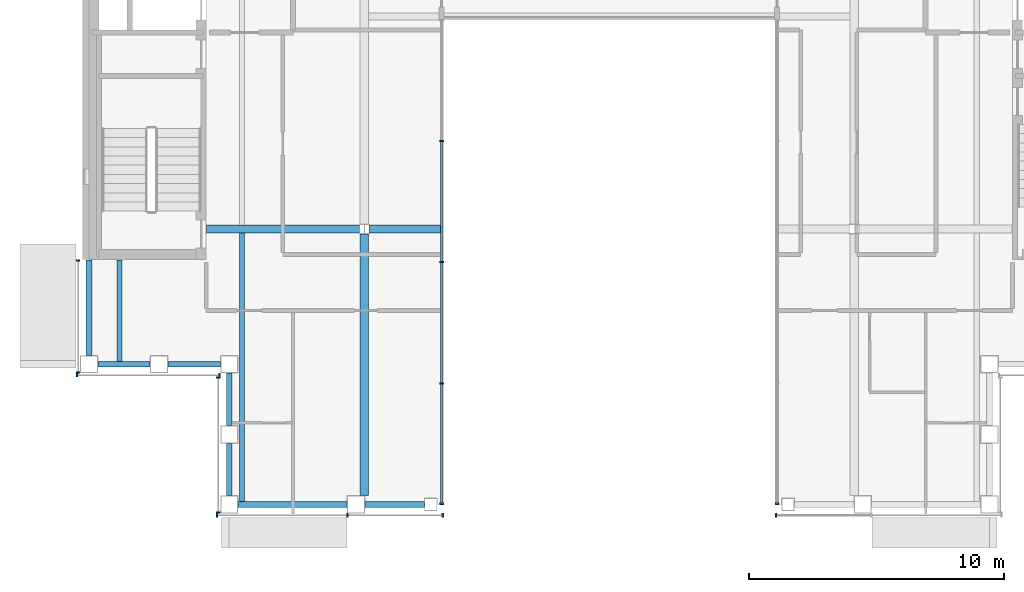
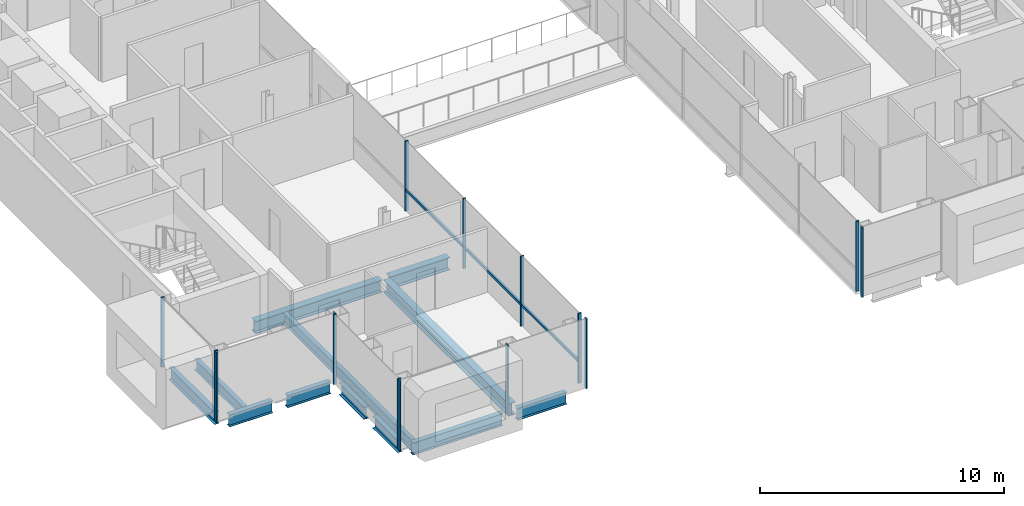
# One storey, part 3 of 17: 18 members, 12 beams, 7 elements without a shape of their own.
"""IFC4 building model written with IfcOpenShell, lengths in metres."""

from ifc_helpers import new_model, si_unit, direction, frame, origin, origin_2d, place, context, subcontext, project, spatial, rectangle, i_section, extrude, material, material_profile, profile_set, type_object, element, aggregate, save


model = new_model("IFC4")

# Units and contexts
model_context = context("Model", 3, precision=1e-05, world=origin(), true_north=direction((0.0, 1.0)))
body_context = subcontext(model_context, "Body", "Model", "MODEL_VIEW")
ifc_project = project(units=[si_unit("LENGTHUNIT", "METRE"), si_unit("AREAUNIT", "SQUARE_METRE"), si_unit("VOLUMEUNIT", "CUBIC_METRE"), si_unit("PLANEANGLEUNIT", "RADIAN"), si_unit("MASSUNIT", "GRAM", prefix="KILO")], contexts=[model_context])

# Site, building, storey
site_placement = place(None, origin())
site = spatial("IfcSite", under=ifc_project, at=site_placement, CompositionType="ELEMENT")
building_placement = place(site_placement, origin())
building = spatial("IfcBuilding", under=site, at=building_placement, Name="Cobrizo Arcos Hotel Tower", CompositionType="ELEMENT")
storey_placement = place(building_placement, frame((0.0, 0.0, 233.0)))
storey = spatial("IfcBuildingStorey", under=building, at=storey_placement, Name="L61", CompositionType="ELEMENT", Elevation=233.0)

# Curtain wall, members
ifc_material_1 = material(Name="Aluminium 6063-T6 anodised bronze", Category="aluminium")
curtain_wall_type_1 = type_object("IfcCurtainWallType", Name="CW-A guest facade", PredefinedType="NOTDEFINED", material=ifc_material_1)
curtain_wall_1_placement = place(storey_placement, origin())
curtain_wall_1 = element("IfcCurtainWall", 1, at=curtain_wall_1_placement, inside=storey, type_object=curtain_wall_type_1, Name="CW-A L61 S face", PredefinedType="NOTDEFINED")
ifc_material_profile_1 = material_profile(ifc_material_1, rectangle(XDim=0.14990234375, YDim=0.06005859375, at=origin_2d()), Name="CW-A mullion 150x60")
ifc_profile_set_1 = profile_set([ifc_material_profile_1], Name="Aluminium 6063-T6 anodised bronze")
member_type_1 = type_object("IfcMemberType", Name="CW-A mullion 150x60", PredefinedType="MULLION", material=ifc_profile_set_1)
member_1_placement = place(storey_placement, frame((-15.3701171875, -20.824951171875, 0.0), z_axis=(0.0, 0.0, 1.0), x_axis=(0.0, -1.0, 0.0)))
member_1 = element("IfcMember", 2, at=member_1_placement, type_object=member_type_1, Name="CW-A mullion 1", PredefinedType="MULLION", context=body_context, shape_type="SweptSolid", body=[
    extrude(rectangle(XDim=0.14990234375, YDim=0.06005859375, at=origin_2d()), origin(), (0.0, 0.0, 1.0), 3.5),
])
member_2_placement = place(storey_placement, frame((-10.2666015625, -20.824951171875, 0.0), z_axis=(0.0, 0.0, 1.0), x_axis=(0.0, -1.0, 0.0)))
member_2 = element("IfcMember", 3, at=member_2_placement, type_object=member_type_1, Name="CW-A mullion 2", PredefinedType="MULLION", context=body_context, shape_type="SweptSolid", body=[
    extrude(rectangle(XDim=0.14990234375, YDim=0.06005859375, at=origin_2d()), origin(), (0.0, 0.0, 1.0), 3.5),
])
member_3_placement = place(storey_placement, frame((-6.530029296875, -20.824951171875, 0.0), z_axis=(0.0, 0.0, 1.0), x_axis=(0.0, -1.0, 0.0)))
member_3 = element("IfcMember", 4, at=member_3_placement, type_object=member_type_1, Name="CW-A mullion 3", PredefinedType="MULLION", context=body_context, shape_type="SweptSolid", body=[
    extrude(rectangle(XDim=0.14990234375, YDim=0.06005859375, at=origin_2d()), origin(), (0.0, 0.0, 1.0), 3.5),
])
aggregate(curtain_wall_1, [member_1, member_2, member_3])

# Curtain wall, member
curtain_wall_2_placement = place(storey_placement, origin())
curtain_wall_2 = element("IfcCurtainWall", 5, at=curtain_wall_2_placement, inside=storey, type_object=curtain_wall_type_1, Name="CW-A L61 S face", PredefinedType="NOTDEFINED")
member_4_placement = place(storey_placement, frame((6.530029296875, -20.824951171875, 0.0), z_axis=(0.0, 0.0, 1.0), x_axis=(0.0, -1.0, 0.0)))
member_4 = element("IfcMember", 6, at=member_4_placement, type_object=member_type_1, Name="CW-A mullion 1", PredefinedType="MULLION", context=body_context, shape_type="SweptSolid", body=[
    extrude(rectangle(XDim=0.14990234375, YDim=0.06005859375, at=origin_2d()), origin(), (0.0, 0.0, 1.0), 3.5),
])
aggregate(curtain_wall_2, [member_4])

# Curtain wall, members
curtain_wall_3_placement = place(storey_placement, origin())
curtain_wall_3 = element("IfcCurtainWall", 7, at=curtain_wall_3_placement, inside=storey, type_object=curtain_wall_type_1, Name="CW-A L61 W face", PredefinedType="NOTDEFINED")
member_5_placement = place(storey_placement, frame((-20.824951171875, -10.830078125, 0.0), z_axis=(0.0, 0.0, 1.0), x_axis=(-1.0, 0.0, 0.0)))
member_5 = element("IfcMember", 8, at=member_5_placement, type_object=member_type_1, Name="CW-A mullion 1", PredefinedType="MULLION", context=body_context, shape_type="SweptSolid", body=[
    extrude(rectangle(XDim=0.14990234375, YDim=0.06005859375, at=origin_2d()), origin(), (0.0, 0.0, 1.0), 3.5),
])
member_6_placement = place(storey_placement, frame((-20.824951171875, -15.219970703125, 0.0), z_axis=(0.0, 0.0, 1.0), x_axis=(-1.0, 0.0, 0.0)))
member_6 = element("IfcMember", 9, at=member_6_placement, type_object=member_type_1, Name="CW-A mullion 2", PredefinedType="MULLION", context=body_context, shape_type="SweptSolid", body=[
    extrude(rectangle(XDim=0.14990234375, YDim=0.06005859375, at=origin_2d()), origin(), (0.0, 0.0, 1.0), 3.5),
])
aggregate(curtain_wall_3, [member_5, member_6])

curtain_wall_4_placement = place(storey_placement, origin())
curtain_wall_4 = element("IfcCurtainWall", 10, at=curtain_wall_4_placement, inside=storey, type_object=curtain_wall_type_1, Name="CW-A L61 S face", PredefinedType="NOTDEFINED")
member_7_placement = place(storey_placement, frame((-20.8701171875, -15.324951171875, 0.0), z_axis=(0.0, 0.0, 1.0), x_axis=(0.0, -1.0, 0.0)))
member_7 = element("IfcMember", 11, at=member_7_placement, type_object=member_type_1, Name="CW-A mullion 1", PredefinedType="MULLION", context=body_context, shape_type="SweptSolid", body=[
    extrude(rectangle(XDim=0.14990234375, YDim=0.06005859375, at=origin_2d()), origin(), (0.0, 0.0, 1.0), 3.5),
])
member_8_placement = place(storey_placement, frame((-15.280029296875, -15.324951171875, 0.0), z_axis=(0.0, 0.0, 1.0), x_axis=(0.0, -1.0, 0.0)))
member_8 = element("IfcMember", 12, at=member_8_placement, type_object=member_type_1, Name="CW-A mullion 2", PredefinedType="MULLION", context=body_context, shape_type="SweptSolid", body=[
    extrude(rectangle(XDim=0.14990234375, YDim=0.06005859375, at=origin_2d()), origin(), (0.0, 0.0, 1.0), 3.5),
])
aggregate(curtain_wall_4, [member_7, member_8])

curtain_wall_5_placement = place(storey_placement, origin())
curtain_wall_5 = element("IfcCurtainWall", 13, at=curtain_wall_5_placement, inside=storey, type_object=curtain_wall_type_1, Name="CW-A L61 W face", PredefinedType="NOTDEFINED")
member_9_placement = place(storey_placement, frame((-15.324951171875, -15.429931640625, 0.0), z_axis=(0.0, 0.0, 1.0), x_axis=(-1.0, 0.0, 0.0)))
member_9 = element("IfcMember", 14, at=member_9_placement, type_object=member_type_1, Name="CW-A mullion 1", PredefinedType="MULLION", context=body_context, shape_type="SweptSolid", body=[
    extrude(rectangle(XDim=0.14990234375, YDim=0.06005859375, at=origin_2d()), origin(), (0.0, 0.0, 1.0), 3.5),
])
member_10_placement = place(storey_placement, frame((-15.324951171875, -20.719970703125, 0.0), z_axis=(0.0, 0.0, 1.0), x_axis=(-1.0, 0.0, 0.0)))
member_10 = element("IfcMember", 15, at=member_10_placement, type_object=member_type_1, Name="CW-A mullion 2", PredefinedType="MULLION", context=body_context, shape_type="SweptSolid", body=[
    extrude(rectangle(XDim=0.14990234375, YDim=0.06005859375, at=origin_2d()), origin(), (0.0, 0.0, 1.0), 3.5),
])
aggregate(curtain_wall_5, [member_9, member_10])

# Curtain wall, member
curtain_wall_type_2 = type_object("IfcCurtainWallType", Name="CW-F void screen", PredefinedType="NOTDEFINED", material=ifc_material_1)
curtain_wall_6_placement = place(storey_placement, origin())
curtain_wall_6 = element("IfcCurtainWall", 16, at=curtain_wall_6_placement, inside=storey, type_object=curtain_wall_type_2, Name="CW-F L61 void screen C", PredefinedType="NOTDEFINED")
ifc_material_profile_2 = material_profile(ifc_material_1, rectangle(XDim=0.14990234375, YDim=0.06005859375, at=origin_2d()), Name="CW-F mullion 150x60")
ifc_profile_set_2 = profile_set([ifc_material_profile_2], Name="Aluminium 6063-T6 anodised bronze")
member_type_2 = type_object("IfcMemberType", Name="CW-F mullion 150x60", PredefinedType="MULLION", material=ifc_profile_set_2)
member_11_placement = place(storey_placement, frame((6.574951171875, -20.3701171875, 0.0), z_axis=(0.0, 0.0, 1.0), x_axis=(1.0, 0.0, 0.0)))
member_11 = element("IfcMember", 17, at=member_11_placement, type_object=member_type_2, Name="CW-F mullion 1", PredefinedType="MULLION", context=body_context, shape_type="SweptSolid", body=[
    extrude(rectangle(XDim=0.14990234375, YDim=0.06005859375, at=origin_2d()), origin(), (0.0, 0.0, 1.0), 3.5),
])
aggregate(curtain_wall_6, [member_11])

# Curtain wall, members
curtain_wall_7_placement = place(storey_placement, origin())
curtain_wall_7 = element("IfcCurtainWall", 18, at=curtain_wall_7_placement, inside=storey, type_object=curtain_wall_type_2, Name="CW-F L61 void screen C", PredefinedType="NOTDEFINED")
member_12_placement = place(storey_placement, frame((-6.574951171875, -6.14990234375, 0.0), z_axis=(0.0, 0.0, 1.0), x_axis=(-1.0, 0.0, 0.0)))
member_12 = element("IfcMember", 19, at=member_12_placement, type_object=member_type_2, Name="CW-F mullion 2", PredefinedType="MULLION", context=body_context, shape_type="SweptSolid", body=[
    extrude(rectangle(XDim=0.14990234375, YDim=0.06005859375, at=origin_2d()), origin(), (0.0, 0.0, 1.0), 3.5),
])
member_13_placement = place(storey_placement, frame((-6.574951171875, -10.89990234375, 0.0), z_axis=(0.0, 0.0, 1.0), x_axis=(-1.0, 0.0, 0.0)))
member_13 = element("IfcMember", 20, at=member_13_placement, type_object=member_type_2, Name="CW-F mullion 3", PredefinedType="MULLION", context=body_context, shape_type="SweptSolid", body=[
    extrude(rectangle(XDim=0.14990234375, YDim=0.06005859375, at=origin_2d()), origin(), (0.0, 0.0, 1.0), 3.5),
])
member_14_placement = place(storey_placement, frame((-6.574951171875, -15.64990234375, 0.0), z_axis=(0.0, 0.0, 1.0), x_axis=(-1.0, 0.0, 0.0)))
member_14 = element("IfcMember", 21, at=member_14_placement, type_object=member_type_2, Name="CW-F mullion 4", PredefinedType="MULLION", context=body_context, shape_type="SweptSolid", body=[
    extrude(rectangle(XDim=0.14990234375, YDim=0.06005859375, at=origin_2d()), origin(), (0.0, 0.0, 1.0), 3.5),
])
member_15_placement = place(storey_placement, frame((-6.574951171875, -20.3701171875, 0.0), z_axis=(0.0, 0.0, 1.0), x_axis=(-1.0, 0.0, 0.0)))
member_15 = element("IfcMember", 22, at=member_15_placement, type_object=member_type_2, Name="CW-F mullion 5", PredefinedType="MULLION", context=body_context, shape_type="SweptSolid", body=[
    extrude(rectangle(XDim=0.14990234375, YDim=0.06005859375, at=origin_2d()), origin(), (0.0, 0.0, 1.0), 3.5),
])
ifc_material_profile_3 = material_profile(ifc_material_1, rectangle(XDim=0.10009765625, YDim=0.1201171875, at=origin_2d()), Name="CW-F transom 120x100")
ifc_profile_set_3 = profile_set([ifc_material_profile_3], Name="Aluminium 6063-T6 anodised bronze")
member_type_3 = type_object("IfcMemberType", Name="CW-F transom 120x100", PredefinedType="USERDEFINED", material=ifc_profile_set_3)
member_16_placement = place(storey_placement, frame((-6.574951171875, -6.179931640625, 1.050048828125), z_axis=(0.0, -1.0, 0.0), x_axis=(1.0, 0.0, 0.0)))
member_16 = element("IfcMember", 23, at=member_16_placement, type_object=member_type_3, Name="CW-F transom 2761", ObjectType="TRANSOM", PredefinedType="USERDEFINED", context=body_context, shape_type="SweptSolid", body=[
    extrude(rectangle(XDim=0.10009765625, YDim=0.1201171875, at=origin_2d()), origin(), (0.0, 0.0, 1.0), 4.690185546875),
])
member_17_placement = place(storey_placement, frame((-6.574951171875, -10.929931640625, 1.050048828125), z_axis=(0.0, -1.0, 0.0), x_axis=(1.0, 0.0, 0.0)))
member_17 = element("IfcMember", 24, at=member_17_placement, type_object=member_type_3, Name="CW-F transom 2762", ObjectType="TRANSOM", PredefinedType="USERDEFINED", context=body_context, shape_type="SweptSolid", body=[
    extrude(rectangle(XDim=0.10009765625, YDim=0.1201171875, at=origin_2d()), origin(), (0.0, 0.0, 1.0), 4.690185546875),
])
member_18_placement = place(storey_placement, frame((-6.574951171875, -15.679931640625, 1.050048828125), z_axis=(0.0, -1.0, 0.0), x_axis=(1.0, 0.0, 0.0)))
member_18 = element("IfcMember", 25, at=member_18_placement, type_object=member_type_3, Name="CW-F transom 2763", ObjectType="TRANSOM", PredefinedType="USERDEFINED", context=body_context, shape_type="SweptSolid", body=[
    extrude(rectangle(XDim=0.10009765625, YDim=0.1201171875, at=origin_2d()), origin(), (0.0, 0.0, 1.0), 4.66015625),
])
aggregate(curtain_wall_7, [member_12, member_13, member_14, member_15, member_16, member_17, member_18])

# Beams
ifc_material_2 = material(Name="Steel ASTM A992 Grade 50", Category="steel")
ifc_material_profile_4 = material_profile(ifc_material_2, i_section(OverallWidth=0.209228515625, OverallDepth=0.533447265625, WebThickness=0.01025390625, FlangeThickness=0.015625, at=origin_2d()), Name="W21X62")
ifc_profile_set_4 = profile_set([ifc_material_profile_4], Name="Steel ASTM A992 Grade 50")
beam_type_1 = type_object("IfcBeamType", Name="W21X62 joist", PredefinedType="JOIST", material=ifc_profile_set_4)
beam_1_placement = place(storey_placement, frame((-19.199951171875, -14.81005859375, -0.416748046875), z_axis=(0.0, 1.0, 0.0), x_axis=(-1.0, 0.0, 0.0)))
element("IfcBeam", 26, at=beam_1_placement, inside=storey, type_object=beam_type_1, Name="Floor joist J1, L61, no. 001", PredefinedType="JOIST", context=body_context, shape_type="SweptSolid", body=[
    extrude(i_section(OverallWidth=0.209228515625, OverallDepth=0.533447265625, WebThickness=0.01025390625, FlangeThickness=0.015625, at=origin_2d()), origin(), (0.0, 0.0, 1.0), 4.0),
])
beam_2_placement = place(storey_placement, frame((-14.39990234375, -20.31005859375, -0.416748046875), z_axis=(0.0, 1.0, 0.0), x_axis=(-1.0, 0.0, 0.0)))
element("IfcBeam", 27, at=beam_2_placement, inside=storey, type_object=beam_type_1, Name="Floor joist J1, L61, no. 003", PredefinedType="JOIST", context=body_context, shape_type="SweptSolid", body=[
    extrude(i_section(OverallWidth=0.209228515625, OverallDepth=0.533447265625, WebThickness=0.01025390625, FlangeThickness=0.015625, at=origin_2d()), origin(), (0.0, 0.0, 1.0), 10.546142578125),
])
ifc_material_profile_5 = material_profile(ifc_material_2, i_section(OverallWidth=0.32763671875, OverallDepth=0.622314453125, WebThickness=0.015380859375, FlangeThickness=0.0244140625, at=origin_2d()), Name="W24X131")
ifc_profile_set_5 = profile_set([ifc_material_profile_5], Name="Steel ASTM A992 Grade 50")
beam_type_2 = type_object("IfcBeamType", Name="W24X131 girder", PredefinedType="BEAM", material=ifc_profile_set_5)
beam_3_placement = place(storey_placement, frame((-15.7900390625, -9.60009765625, -0.461181640625), z_axis=(1.0, 0.0, 0.0), x_axis=(0.0, 1.0, 0.0)))
element("IfcBeam", 28, at=beam_3_placement, inside=storey, type_object=beam_type_2, Name="Floor girder G1, L61, no. 001", PredefinedType="BEAM", context=body_context, shape_type="SweptSolid", body=[
    extrude(i_section(OverallWidth=0.32763671875, OverallDepth=0.622314453125, WebThickness=0.015380859375, FlangeThickness=0.0244140625, at=origin_2d()), origin(), (0.0, 0.0, 1.0), 6.00341796875),
])
beam_4_placement = place(storey_placement, frame((-9.413330078125, -9.60009765625, -0.461181640625), z_axis=(1.0, 0.0, 0.0), x_axis=(0.0, 1.0, 0.0)))
element("IfcBeam", 29, at=beam_4_placement, inside=storey, type_object=beam_type_2, Name="Floor girder G1, L61, no. 002", PredefinedType="BEAM", context=body_context, shape_type="SweptSolid", body=[
    extrude(i_section(OverallWidth=0.32763671875, OverallDepth=0.622314453125, WebThickness=0.015380859375, FlangeThickness=0.0244140625, at=origin_2d()), origin(), (0.0, 0.0, 1.0), 2.8232421875),
])
beam_5_placement = place(storey_placement, frame((-9.60009765625, -20.050048828125, -0.461181640625), z_axis=(0.0, 1.0, 0.0), x_axis=(-1.0, 0.0, 0.0)))
element("IfcBeam", 30, at=beam_5_placement, inside=storey, type_object=beam_type_2, Name="Floor girder G1, L61, no. 012", PredefinedType="BEAM", context=body_context, shape_type="SweptSolid", body=[
    extrude(i_section(OverallWidth=0.32763671875, OverallDepth=0.622314453125, WebThickness=0.015380859375, FlangeThickness=0.0244140625, at=origin_2d()), origin(), (0.0, 0.0, 1.0), 10.263427734375),
])
ifc_material_profile_6 = material_profile(ifc_material_2, i_section(OverallWidth=0.228271484375, OverallDepth=0.607177734375, WebThickness=0.01123046875, FlangeThickness=0.017333984375, at=origin_2d()), Name="W24X76")
ifc_profile_set_6 = profile_set([ifc_material_profile_6], Name="Steel ASTM A992 Grade 50")
beam_type_3 = type_object("IfcBeamType", Name="W24X76 spandrel", PredefinedType="SPANDREL", material=ifc_profile_set_6)
beam_6_placement = place(storey_placement, frame((-7.25, -20.39990234375, -0.45361328125), z_axis=(-1.0, 0.0, 0.0), x_axis=(0.0, -1.0, 0.0)))
element("IfcBeam", 31, at=beam_6_placement, inside=storey, type_object=beam_type_3, Name="Spandrel beam W24X76, L61, no. 011", PredefinedType="SPANDREL", context=body_context, shape_type="SweptSolid", body=[
    extrude(i_section(OverallWidth=0.228271484375, OverallDepth=0.607177734375, WebThickness=0.01123046875, FlangeThickness=0.017333984375, at=origin_2d()), origin(), (0.0, 0.0, 1.0), 2.3330078125),
])
beam_7_placement = place(storey_placement, frame((-10.282958984375, -20.39990234375, -0.45361328125), z_axis=(-1.0, 0.0, 0.0), x_axis=(0.0, -1.0, 0.0)))
element("IfcBeam", 32, at=beam_7_placement, inside=storey, type_object=beam_type_3, Name="Spandrel beam W24X76, L61, no. 012", PredefinedType="SPANDREL", context=body_context, shape_type="SweptSolid", body=[
    extrude(i_section(OverallWidth=0.228271484375, OverallDepth=0.607177734375, WebThickness=0.01123046875, FlangeThickness=0.017333984375, at=origin_2d()), origin(), (0.0, 0.0, 1.0), 4.26708984375),
])
for number, where, z_axis, x_axis, name in (
    (33, (-14.89990234375, -20.050048828125, -0.45361328125), (0.0, 1.0, 0.0), (-1.0, 0.0, 0.0), "Spandrel beam W24X76, L61, no. 013"),
    (34, (-14.89990234375, -17.300048828125, -0.45361328125), (0.0, 1.0, 0.0), (-1.0, 0.0, 0.0), "Spandrel beam W24X76, L61, no. 014"),
    (35, (-15.25, -14.89990234375, -0.45361328125), (-1.0, 0.0, 0.0), (0.0, -1.0, 0.0), "Spandrel beam W24X76, L61, no. 015"),
    (36, (-18.0, -14.89990234375, -0.45361328125), (-1.0, 0.0, 0.0), (0.0, -1.0, 0.0), "Spandrel beam W24X76, L61, no. 016"),
):
    element("IfcBeam", number, at=place(storey_placement, frame(where, z_axis=z_axis, x_axis=x_axis)), inside=storey, type_object=beam_type_3, Name=name, PredefinedType="SPANDREL", context=body_context, shape_type="SweptSolid", body=[
        extrude(i_section(OverallWidth=0.228271484375, OverallDepth=0.607177734375, WebThickness=0.01123046875, FlangeThickness=0.017333984375, at=origin_2d()), origin(), (0.0, 0.0, 1.0), 2.050048828125),
    ])
beam_8_placement = place(storey_placement, frame((-20.39990234375, -14.550048828125, -0.45361328125), z_axis=(0.0, 1.0, 0.0), x_axis=(-1.0, 0.0, 0.0)))
element("IfcBeam", 37, at=beam_8_placement, inside=storey, type_object=beam_type_3, Name="Spandrel beam W24X76, L61, no. 017", PredefinedType="SPANDREL", context=body_context, shape_type="SweptSolid", body=[
    extrude(i_section(OverallWidth=0.228271484375, OverallDepth=0.607177734375, WebThickness=0.01123046875, FlangeThickness=0.017333984375, at=origin_2d()), origin(), (0.0, 0.0, 1.0), 3.739990234375),
])

save(model, "model.ifc")
